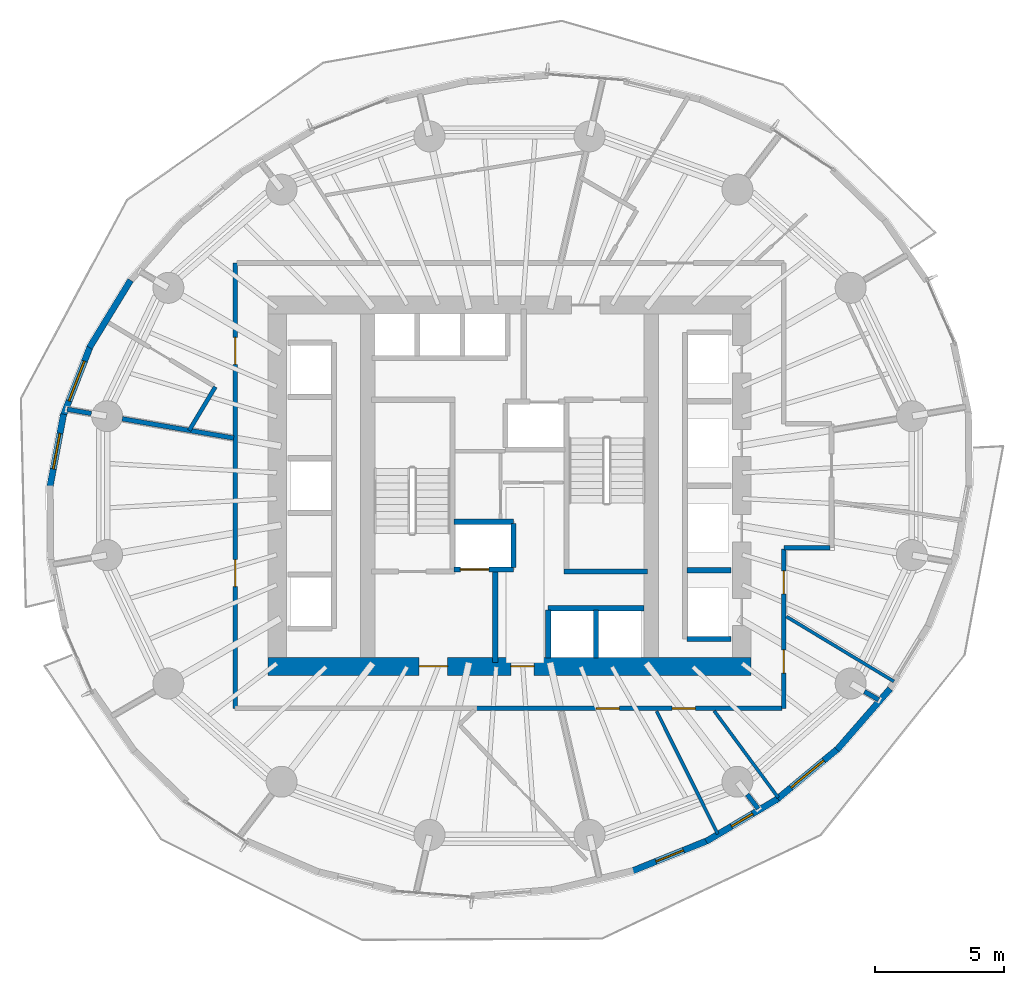
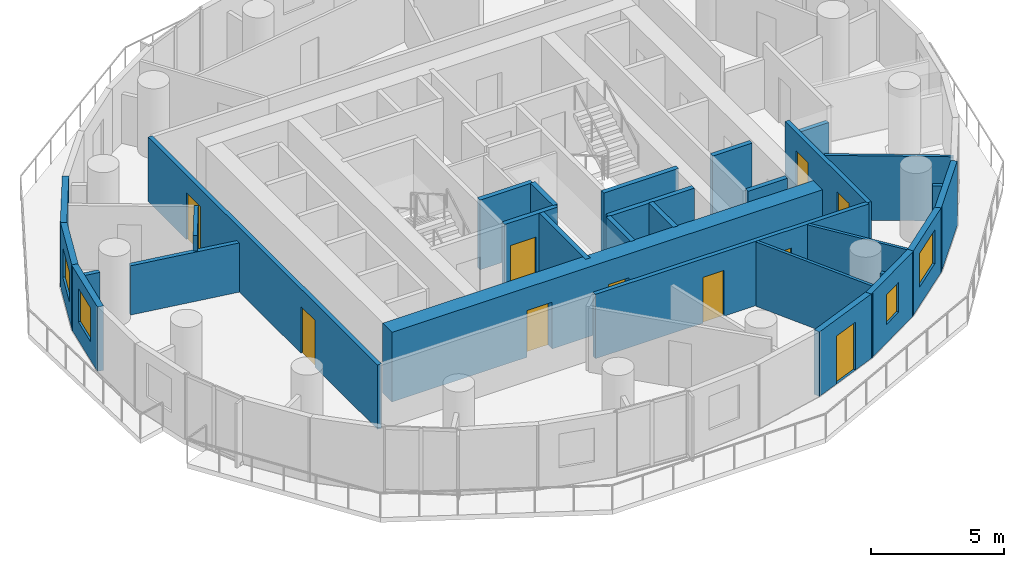
# One storey, part 7 of 14: 30 walls, 10 doors, 4 windows, 14 openings.
"""IFC4 building model written with IfcOpenShell, lengths in metres."""

from ifc_helpers import new_model, si_unit, direction, frame, frame_2d, origin, place, context, subcontext, project, spatial, rectangle, extrude, material, layer, layer_set, type_object, element, fill, save


model = new_model("IFC4")

# Units and contexts
model_context = context("Model", 3, precision=1e-05, world=origin(), true_north=direction((0.0, 1.0)))
body_context = subcontext(model_context, "Body", "Model", "MODEL_VIEW")
ifc_project = project(units=[si_unit("LENGTHUNIT", "METRE"), si_unit("AREAUNIT", "SQUARE_METRE"), si_unit("VOLUMEUNIT", "CUBIC_METRE"), si_unit("PLANEANGLEUNIT", "RADIAN"), si_unit("MASSUNIT", "GRAM", prefix="KILO")], contexts=[model_context])

# Site, building, storey
site_placement = place(None, origin())
site = spatial("IfcSite", under=ifc_project, at=site_placement, CompositionType="ELEMENT")
building_placement = place(site_placement, origin())
building = spatial("IfcBuilding", under=site, at=building_placement, Name="Veldorim Arch Residences", CompositionType="ELEMENT")
storey_placement = place(building_placement, frame((0.0, 0.0, 80.47998046875)))
storey = spatial("IfcBuildingStorey", under=building, at=storey_placement, Name="L23", CompositionType="ELEMENT", Elevation=80.47998046875)

# Walls
ifc_material_1 = material(Name="Acoustic Gypsum Board", Category="gypsum")
ifc_layer_1 = layer(ifc_material_1, 0.125, Name="Acoustic Stud Room Partition Wall 125")
ifc_layer_set_1 = layer_set([ifc_layer_1], Name="Acoustic Gypsum Board")
wall_type_1 = type_object("IfcWallType", Name="Acoustic Stud Room Partition Wall 125", PredefinedType="PARTITIONING", material=ifc_layer_set_1)
wall_1_placement = place(storey_placement, frame((46.8984375, 16.413818359375, 0.0), z_axis=(0.0, 0.0, 1.0), x_axis=(-0.856255019026, 0.51655332967, 0.0)))
element("IfcWall", 1, at=wall_1_placement, inside=storey, type_object=wall_type_1, Name="L23 interior wall WL-RES-L23-013", PredefinedType="PARTITIONING", context=body_context, shape_type="SweptSolid", body=[
    extrude(rectangle(XDim=4.86474609375, YDim=0.125, at=frame_2d((2.432373046875, 0.0))), origin(), (0.0, 0.0, 1.0), 2.955078125),
])
wall_2_placement = place(storey_placement, frame((42.416015625, 11.906494140625, 0.0), z_axis=(0.0, 0.0, 1.0), x_axis=(-0.593774058598, 0.804631820981, 0.0)))
element("IfcWall", 2, at=wall_2_placement, inside=storey, type_object=wall_type_1, Name="L23 interior wall WL-RES-L23-014", PredefinedType="PARTITIONING", context=body_context, shape_type="SweptSolid", body=[
    extrude(rectangle(XDim=4.1845703125, YDim=0.125, at=frame_2d((2.09228515625, 0.0))), origin(), (0.0, 0.0, 1.0), 2.955078125),
])
wall_3_placement = place(storey_placement, frame((40.0732421875, 10.498291015625, 0.0), z_axis=(0.0, 0.0, 1.0), x_axis=(-0.446241148369, 0.894912754129, 0.0)))
element("IfcWall", 3, at=wall_3_placement, inside=storey, type_object=wall_type_1, Name="L23 interior wall WL-RES-L23-015", PredefinedType="PARTITIONING", context=body_context, shape_type="SweptSolid", body=[
    extrude(rectangle(XDim=5.323974609375, YDim=0.125, at=frame_2d((2.662109375, 0.0))), origin(), (0.0, 0.0, 1.0), 2.955078125),
])
ifc_material_2 = material(Name="Lightweight Masonry Block & Gypsum", Category="masonry")
ifc_layer_2 = layer(ifc_material_2, 0.179931640625, Name="Compartment & Corridor Fire-Rated Party Wall 180")
ifc_layer_set_2 = layer_set([ifc_layer_2], Name="Lightweight Masonry Block & Gypsum")
wall_type_2 = type_object("IfcWallType", Name="Compartment & Corridor Fire-Rated Party Wall 180", PredefinedType="PARTITIONING", material=ifc_layer_set_2)
wall_4_placement = place(storey_placement, frame((15.79443359375, 26.797607421875, 0.0), z_axis=(0.0, 0.0, 1.0), x_axis=(-0.985396187556, 0.170277284302, 0.0)))
element("IfcWall", 4, at=wall_4_placement, inside=storey, type_object=wall_type_2, Name="L23 interior wall WL-PIER-L23-08", PredefinedType="PARTITIONING", context=body_context, shape_type="SweptSolid", body=[
    extrude(rectangle(XDim=0.94921875, YDim=0.179931640625, at=frame_2d((0.474609375, 0.0))), origin(), (0.0, 0.0, 1.0), 2.260498046875),
])
wall_5_placement = place(storey_placement, frame((41.2119140625, 12.034423828125, 0.0), z_axis=(0.0, 0.0, 1.0), x_axis=(0.609945476355, -0.792443383387, 0.0)))
element("IfcWall", 5, at=wall_5_placement, inside=storey, type_object=wall_type_2, Name="L23 interior wall WL-PIER-L23-14", PredefinedType="PARTITIONING", context=body_context, shape_type="SweptSolid", body=[
    extrude(rectangle(XDim=0.70361328125, YDim=0.179931640625, at=frame_2d((0.351806640625, 0.0))), origin(), (0.0, 0.0, 1.0), 2.260498046875),
])
wall_6_placement = place(storey_placement, frame((45.756591796875, 16.022216796875, 0.0), z_axis=(0.0, 0.0, 1.0), x_axis=(0.864928236137, -0.501895553212, 0.0)))
element("IfcWall", 6, at=wall_6_placement, inside=storey, type_object=wall_type_2, Name="L23 interior wall WL-PIER-L23-15", PredefinedType="PARTITIONING", context=body_context, shape_type="SweptSolid", body=[
    extrude(rectangle(XDim=0.63818359375, YDim=0.179931640625, at=frame_2d((0.319091796875, 0.0))), origin(), (0.0, 0.0, 1.0), 2.260498046875),
])
wall_7_placement = place(storey_placement, frame((44.419921875, 21.60009765625, 0.0), z_axis=(0.0, 0.0, 1.0), x_axis=(-1.0, 0.0, 0.0)))
element("IfcWall", 7, at=wall_7_placement, inside=storey, type_object=wall_type_2, Name="L23 interior wall WL-RES-L23-002", PredefinedType="PARTITIONING", context=body_context, shape_type="SweptSolid", body=[
    extrude(rectangle(XDim=1.7900390625, YDim=0.179931640625, at=frame_2d((0.89501953125, 0.0))), origin(), (0.0, 0.0, 1.0), 2.260498046875),
])

# Wall, openings, doors
wall_8_placement = place(storey_placement, frame((42.6298828125, 21.5400390625, 0.0), z_axis=(0.0, 0.0, 1.0), x_axis=(0.0, -1.0, 0.0)))
wall_8 = element("IfcWall", 8, at=wall_8_placement, inside=storey, type_object=wall_type_2, Name="L23 interior wall WL-RES-L23-003", PredefinedType="PARTITIONING", context=body_context, shape_type="SweptSolid", body=[
    extrude(rectangle(XDim=6.169921875, YDim=0.179931640625, at=frame_2d((3.0849609375, 0.0))), origin(), (0.0, 0.0, 1.0), 2.955078125),
])
opening_1_placement = place(wall_8_placement, frame((0.83740234375, 0.0, 0.0)))
opening_1 = element("IfcOpeningElement", 9, at=opening_1_placement, cuts=wall_8, Name="Opening DR-INT", PredefinedType="OPENING", context=body_context, shape_type="SweptSolid", body=[
    extrude(rectangle(XDim=0.89990234375, YDim=2.10009765625, at=frame_2d((0.449951171875, 1.050048828125))), frame((0.0, 0.099853515625, 0.0), z_axis=(0.0, -1.0, 0.0), x_axis=(1.0, 0.0, 0.0)), (0.0, 0.0, 1.0), 0.199951171875),
])
opening_2_placement = place(wall_8_placement, frame((3.900634765625, 0.0, 0.0)))
opening_2 = element("IfcOpeningElement", 10, at=opening_2_placement, cuts=wall_8, Name="Opening DR-INT", PredefinedType="OPENING", context=body_context, shape_type="SweptSolid", body=[
    extrude(rectangle(XDim=0.89990234375, YDim=2.10009765625, at=frame_2d((0.449951171875, 1.050048828125))), frame((0.0, 0.099853515625, 0.0), z_axis=(0.0, -1.0, 0.0), x_axis=(1.0, 0.0, 0.0)), (0.0, 0.0, 1.0), 0.199951171875),
])
ifc_material_3 = material(Name="Engineered Timber", Category="wood")
door_type_1 = type_object("IfcDoorType", Name="Apartment Internal Room Timber Door 900x2100", OperationType="SINGLE_SWING_LEFT", PredefinedType="DOOR", material=ifc_material_3)
door_1_placement = place(opening_1_placement, origin())
door_1 = element("IfcDoor", 11, at=door_1_placement, inside=storey, type_object=door_type_1, Name="L23 interior door DR-RES-L23-002", OperationType="SINGLE_SWING_RIGHT", OverallHeight=2.10009765625, OverallWidth=0.89990234375, PredefinedType="DOOR", context=body_context, shape_type="SweptSolid", body=[
    extrude(rectangle(XDim=0.89990234375, YDim=2.10009765625, at=frame_2d((0.449951171875, 1.050048828125))), frame((0.0, 0.02490234375, 0.0), z_axis=(0.0, -1.0, 0.0), x_axis=(1.0, 0.0, 0.0)), (0.0, 0.0, 1.0), 0.050048828125),
])
fill(opening_1, door_1)
door_2_placement = place(opening_2_placement, origin())
door_2 = element("IfcDoor", 12, at=door_2_placement, inside=storey, type_object=door_type_1, Name="L23 interior door DR-RES-L23-003", OperationType="SINGLE_SWING_LEFT", OverallHeight=2.10009765625, OverallWidth=0.89990234375, PredefinedType="DOOR", context=body_context, shape_type="SweptSolid", body=[
    extrude(rectangle(XDim=0.89990234375, YDim=2.10009765625, at=frame_2d((0.449951171875, 1.050048828125))), frame((0.0, 0.02490234375, 0.0), z_axis=(0.0, -1.0, 0.0), x_axis=(1.0, 0.0, 0.0)), (0.0, 0.0, 1.0), 0.050048828125),
])
fill(opening_2, door_2)

wall_9_placement = place(storey_placement, frame((42.570068359375, 15.3701171875, 0.0), z_axis=(0.0, 0.0, 1.0), x_axis=(-1.0, 0.0, 0.0)))
wall_9 = element("IfcWall", 13, at=wall_9_placement, inside=storey, type_object=wall_type_2, Name="L23 interior wall WL-RES-L23-004", PredefinedType="PARTITIONING", context=body_context, shape_type="SweptSolid", body=[
    extrude(rectangle(XDim=11.879150390625, YDim=0.179931640625, at=frame_2d((5.939453125, 0.0))), origin(), (0.0, 0.0, 1.0), 2.955078125),
])
opening_3_placement = place(wall_9_placement, frame((3.365478515625, 0.0, 0.0)))
opening_3 = element("IfcOpeningElement", 14, at=opening_3_placement, cuts=wall_9, Name="Opening DR-INT", PredefinedType="OPENING", context=body_context, shape_type="SweptSolid", body=[
    extrude(rectangle(XDim=0.89990234375, YDim=2.10009765625, at=frame_2d((0.449951171875, 1.050048828125))), frame((0.0, 0.099853515625, 0.0), z_axis=(0.0, -1.0, 0.0), x_axis=(1.0, 0.0, 0.0)), (0.0, 0.0, 1.0), 0.199951171875),
])
opening_4_placement = place(wall_9_placement, frame((6.307861328125, 0.0, 0.0)))
opening_4 = element("IfcOpeningElement", 15, at=opening_4_placement, cuts=wall_9, Name="Opening DR-INT", PredefinedType="OPENING", context=body_context, shape_type="SweptSolid", body=[
    extrude(rectangle(XDim=0.89990234375, YDim=2.10009765625, at=frame_2d((0.449951171875, 1.050048828125))), frame((0.0, 0.099853515625, 0.0), z_axis=(0.0, -1.0, 0.0), x_axis=(1.0, 0.0, 0.0)), (0.0, 0.0, 1.0), 0.199951171875),
])
door_3_placement = place(opening_3_placement, origin())
door_3 = element("IfcDoor", 16, at=door_3_placement, inside=storey, type_object=door_type_1, Name="L23 interior door DR-RES-L23-004", OperationType="SINGLE_SWING_RIGHT", OverallHeight=2.10009765625, OverallWidth=0.89990234375, PredefinedType="DOOR", context=body_context, shape_type="SweptSolid", body=[
    extrude(rectangle(XDim=0.89990234375, YDim=2.10009765625, at=frame_2d((0.449951171875, 1.050048828125))), frame((0.0, 0.02490234375, 0.0), z_axis=(0.0, -1.0, 0.0), x_axis=(1.0, 0.0, 0.0)), (0.0, 0.0, 1.0), 0.050048828125),
])
fill(opening_3, door_3)
door_4_placement = place(opening_4_placement, origin())
door_4 = element("IfcDoor", 17, at=door_4_placement, inside=storey, type_object=door_type_1, Name="L23 interior door DR-RES-L23-005", OperationType="SINGLE_SWING_LEFT", OverallHeight=2.10009765625, OverallWidth=0.89990234375, PredefinedType="DOOR", context=body_context, shape_type="SweptSolid", body=[
    extrude(rectangle(XDim=0.89990234375, YDim=2.10009765625, at=frame_2d((0.449951171875, 1.050048828125))), frame((0.0, 0.02490234375, 0.0), z_axis=(0.0, -1.0, 0.0), x_axis=(1.0, 0.0, 0.0)), (0.0, 0.0, 1.0), 0.050048828125),
])
fill(opening_4, door_4)

wall_10_placement = place(storey_placement, frame((21.3701171875, 15.3701171875, 0.0), z_axis=(0.0, 0.0, 1.0), x_axis=(0.0, 1.0, 0.0)))
wall_10 = element("IfcWall", 18, at=wall_10_placement, inside=storey, type_object=wall_type_2, Name="L23 interior wall WL-RES-L23-008", PredefinedType="PARTITIONING", context=body_context, shape_type="SweptSolid", body=[
    extrude(rectangle(XDim=17.259765625, YDim=0.179931640625, at=frame_2d((8.6298828125, 0.0))), origin(), (0.0, 0.0, 1.0), 2.955078125),
])
opening_5_placement = place(wall_10_placement, frame((13.32763671875, 0.0, 0.0)))
opening_5 = element("IfcOpeningElement", 19, at=opening_5_placement, cuts=wall_10, Name="Opening DR-FLT", PredefinedType="OPENING", context=body_context, shape_type="SweptSolid", body=[
    extrude(rectangle(XDim=1.050048828125, YDim=2.14990234375, at=frame_2d((0.52490234375, 1.074951171875))), frame((0.0, 0.099853515625, 0.0), z_axis=(0.0, -1.0, 0.0), x_axis=(1.0, 0.0, 0.0)), (0.0, 0.0, 1.0), 0.199951171875),
])
opening_6_placement = place(wall_10_placement, frame((4.7177734375, 0.0, 0.0)))
opening_6 = element("IfcOpeningElement", 20, at=opening_6_placement, cuts=wall_10, Name="Opening DR-FLT", PredefinedType="OPENING", context=body_context, shape_type="SweptSolid", body=[
    extrude(rectangle(XDim=1.050048828125, YDim=2.14990234375, at=frame_2d((0.52490234375, 1.074951171875))), frame((0.0, 0.099853515625, 0.0), z_axis=(0.0, -1.0, 0.0), x_axis=(1.0, 0.0, 0.0)), (0.0, 0.0, 1.0), 0.199951171875),
])
ifc_material_4 = material(Name="Fire-Rated Timber", Category="wood")
door_type_2 = type_object("IfcDoorType", Name="Apartment Entrance Solid-Core Fire Door 1050x2150", OperationType="SINGLE_SWING_LEFT", PredefinedType="DOOR", material=ifc_material_4)
door_5_placement = place(opening_5_placement, origin())
door_5 = element("IfcDoor", 21, at=door_5_placement, inside=storey, type_object=door_type_2, Name="L23 interior door DR-RES-L23-011", OperationType="SINGLE_SWING_LEFT", OverallHeight=2.14990234375, OverallWidth=1.050048828125, PredefinedType="DOOR", context=body_context, shape_type="SweptSolid", body=[
    extrude(rectangle(XDim=1.050048828125, YDim=2.14990234375, at=frame_2d((0.52490234375, 1.074951171875))), frame((0.0, 0.02490234375, 0.0), z_axis=(0.0, -1.0, 0.0), x_axis=(1.0, 0.0, 0.0)), (0.0, 0.0, 1.0), 0.050048828125),
])
fill(opening_5, door_5)
door_6_placement = place(opening_6_placement, origin())
door_6 = element("IfcDoor", 22, at=door_6_placement, inside=storey, type_object=door_type_2, Name="L23 interior door DR-RES-L23-015", OperationType="SINGLE_SWING_LEFT", OverallHeight=2.14990234375, OverallWidth=1.050048828125, PredefinedType="DOOR", context=body_context, shape_type="SweptSolid", body=[
    extrude(rectangle(XDim=1.050048828125, YDim=2.14990234375, at=frame_2d((0.52490234375, 1.074951171875))), frame((0.0, 0.02490234375, 0.0), z_axis=(0.0, -1.0, 0.0), x_axis=(1.0, 0.0, 0.0)), (0.0, 0.0, 1.0), 0.050048828125),
])
fill(opening_6, door_6)

# Walls
wall_11_placement = place(storey_placement, frame((21.310791015625, 25.84521484375, 0.0), z_axis=(0.0, 0.0, 1.0), x_axis=(-0.98541310568, 0.170179349963, 0.0)))
element("IfcWall", 23, at=wall_11_placement, inside=storey, type_object=wall_type_2, Name="L23 interior wall WL-RES-L23-026", PredefinedType="PARTITIONING", context=body_context, shape_type="SweptSolid", body=[
    extrude(rectangle(XDim=4.38134765625, YDim=0.179931640625, at=frame_2d((2.190673828125, 0.0))), origin(), (0.0, 0.0, 1.0), 2.260498046875),
])
ifc_material_5 = material(Name="Concrete C50/60", Category="concrete")
ifc_layer_3 = layer(ifc_material_5, 0.199951171875, Name="Core Stair & Lift Shaft Enclosure Wall 200")
ifc_layer_set_3 = layer_set([ifc_layer_3], Name="Concrete C50/60")
wall_type_3 = type_object("IfcWallType", Name="Core Stair & Lift Shaft Enclosure Wall 200", PredefinedType="SHEAR", material=ifc_layer_set_3)
wall_12_placement = place(storey_placement, frame((34.110107421875, 20.669921875, 0.0), z_axis=(0.0, 0.0, 1.0), x_axis=(1.0, 0.0, 0.0)))
element("IfcWall", 24, at=wall_12_placement, inside=storey, type_object=wall_type_3, Name="L23 shaft wall WL-SHF-L23-ST2-S", PredefinedType="SHEAR", context=body_context, shape_type="SweptSolid", body=[
    extrude(rectangle(XDim=3.239990234375, YDim=0.199951171875, at=frame_2d((1.6201171875, 0.0))), origin(), (0.0, 0.0, 1.0), 3.199951171875),
])
wall_13_placement = place(storey_placement, frame((31.449951171875, 17.14990234375, 0.0), z_axis=(0.0, 0.0, 1.0), x_axis=(0.0, 1.0, 0.0)))
element("IfcWall", 25, at=wall_13_placement, inside=storey, type_object=wall_type_3, Name="L23 shaft wall WL-FFL1-L23-E", PredefinedType="SHEAR", context=body_context, shape_type="SweptSolid", body=[
    extrude(rectangle(XDim=3.5, YDim=0.199951171875, at=frame_2d((1.75, 0.0))), origin(), (0.0, 0.0, 1.0), 3.199951171875),
])

# Wall, opening, door
wall_14_placement = place(storey_placement, frame((29.85009765625, 20.75, 0.0), z_axis=(0.0, 0.0, 1.0), x_axis=(1.0, 0.0, 0.0)))
wall_14 = element("IfcWall", 26, at=wall_14_placement, inside=storey, type_object=wall_type_3, Name="L23 shaft wall WL-FL01-L23-S", PredefinedType="SHEAR", context=body_context, shape_type="SweptSolid", body=[
    extrude(rectangle(XDim=2.2998046875, YDim=0.199951171875, at=frame_2d((1.14990234375, 0.0))), origin(), (0.0, 0.0, 1.0), 3.199951171875),
])
opening_7_placement = place(wall_14_placement, frame((0.25, 0.0, 0.0)))
opening_7 = element("IfcOpeningElement", 27, at=opening_7_placement, cuts=wall_14, Name="Opening LD-FF", PredefinedType="OPENING", context=body_context, shape_type="SweptSolid", body=[
    extrude(rectangle(XDim=1.10009765625, YDim=2.14990234375, at=frame_2d((0.550048828125, 1.074951171875))), frame((0.0, 0.10986328125, 0.0), z_axis=(0.0, -1.0, 0.0), x_axis=(1.0, 0.0, 0.0)), (0.0, 0.0, 1.0), 0.219970703125),
])
ifc_material_6 = material(Name="Stainless Steel", Category="steel")
door_type_3 = type_object("IfcDoorType", Name="Firefighting Lift Bi-Parting Sliding Landing Door 1100x2150", OperationType="DOUBLE_DOOR_SLIDING", PredefinedType="DOOR", material=ifc_material_6)
door_7_placement = place(opening_7_placement, origin())
door_7 = element("IfcDoor", 28, at=door_7_placement, inside=storey, type_object=door_type_3, Name="L23 lift landing door LD-L23-FL01", OperationType="DOUBLE_DOOR_SLIDING", OverallHeight=2.14990234375, OverallWidth=1.10009765625, PredefinedType="DOOR", context=body_context, shape_type="SweptSolid", body=[
    extrude(rectangle(XDim=1.10009765625, YDim=2.14990234375, at=frame_2d((0.550048828125, 1.074951171875))), frame((0.0, 0.02490234375, 0.0), z_axis=(0.0, -1.0, 0.0), x_axis=(1.0, 0.0, 0.0)), (0.0, 0.0, 1.0), 0.050048828125),
])
fill(opening_7, door_7)

# Walls
wall_15_placement = place(storey_placement, frame((29.85009765625, 22.60009765625, 0.0), z_axis=(0.0, 0.0, 1.0), x_axis=(1.0, 0.0, 0.0)))
element("IfcWall", 29, at=wall_15_placement, inside=storey, type_object=wall_type_3, Name="L23 shaft wall WL-FL01-L23-N", PredefinedType="SHEAR", context=body_context, shape_type="SweptSolid", body=[
    extrude(rectangle(XDim=2.2998046875, YDim=0.199951171875, at=frame_2d((1.14990234375, 0.0))), origin(), (0.0, 0.0, 1.0), 3.199951171875),
])
for number, where, z_axis, x_axis, name in (
    (30, (32.14990234375, 20.820068359375, 0.0), (0.0, 0.0, 1.0), (0.0, 1.0, 0.0), "L23 shaft wall WL-FL01-L23-E"),
    (31, (38.8701171875, 18.06005859375, 0.0), (0.0, 0.0, 1.0), (1.0, 0.0, 0.0), "L23 shaft wall WL-B1-L23-S"),
    (32, (38.8701171875, 20.72509765625, 0.0), (0.0, 0.0, 1.0), (1.0, 0.0, 0.0), "L23 shaft wall WL-B1-L23-D1"),
):
    element("IfcWall", number, at=place(storey_placement, frame(where, z_axis=z_axis, x_axis=x_axis)), inside=storey, type_object=wall_type_3, Name=name, PredefinedType="SHEAR", context=body_context, shape_type="SweptSolid", body=[
        extrude(rectangle(XDim=1.7099609375, YDim=0.199951171875, at=frame_2d((0.85498046875, 0.0))), origin(), (0.0, 0.0, 1.0), 3.199951171875),
    ])
wall_16_placement = place(storey_placement, frame((33.5, 19.25, 0.0), z_axis=(0.0, 0.0, 1.0), x_axis=(1.0, 0.0, 0.0)))
element("IfcWall", 33, at=wall_16_placement, inside=storey, type_object=wall_type_3, Name="L23 shaft wall WL-OL-L23-N", PredefinedType="SHEAR", context=body_context, shape_type="SweptSolid", body=[
    extrude(rectangle(XDim=3.719970703125, YDim=0.199951171875, at=frame_2d((1.85986328125, 0.0))), origin(), (0.0, 0.0, 1.0), 3.199951171875),
])
for number, where, z_axis, x_axis, name in (
    (34, (33.5, 17.320068359375, 0.0), (0.0, 0.0, 1.0), (0.0, 1.0, 0.0), "L23 shaft wall WL-OL-L23-W"),
    (35, (35.35009765625, 17.320068359375, 0.0), (0.0, 0.0, 1.0), (0.0, 1.0, 0.0), "L23 shaft wall WL-OL-L23-D1"),
):
    element("IfcWall", number, at=place(storey_placement, frame(where, z_axis=z_axis, x_axis=x_axis)), inside=storey, type_object=wall_type_3, Name=name, PredefinedType="SHEAR", context=body_context, shape_type="SweptSolid", body=[
        extrude(rectangle(XDim=1.85986328125, YDim=0.199951171875, at=frame_2d((0.929931640625, 0.0))), origin(), (0.0, 0.0, 1.0), 3.199951171875),
    ])

# Wall, openings, doors
ifc_material_7 = material(Name="Concrete C60/75", Category="concrete")
ifc_layer_4 = layer(ifc_material_7, 0.699951171875, Name="Mid-Lower Central Core Shear Wall 700")
ifc_layer_set_4 = layer_set([ifc_layer_4], Name="Concrete C60/75")
wall_type_4 = type_object("IfcWallType", Name="Mid-Lower Central Core Shear Wall 700", PredefinedType="SHEAR", material=ifc_layer_set_4)
wall_17_placement = place(storey_placement, frame((22.64990234375, 17.0, 0.0), z_axis=(0.0, 0.0, 1.0), x_axis=(1.0, 0.0, 0.0)))
wall_17 = element("IfcWall", 36, at=wall_17_placement, inside=storey, type_object=wall_type_4, Name="L23 central core south shear wall", PredefinedType="SHEAR", context=body_context, shape_type="SweptSolid", body=[
    extrude(rectangle(XDim=18.7001953125, YDim=0.699951171875, at=frame_2d((9.35009765625, 0.0))), origin(), (0.0, 0.0, 1.0), 3.199951171875),
])
opening_8_placement = place(wall_17_placement, frame((5.85009765625, 0.0, 0.0)))
opening_8 = element("IfcOpeningElement", 37, at=opening_8_placement, cuts=wall_17, Name="Opening DR-FFL", PredefinedType="OPENING", context=body_context, shape_type="SweptSolid", body=[
    extrude(rectangle(XDim=1.10009765625, YDim=2.14990234375, at=frame_2d((0.550048828125, 1.074951171875))), frame((0.0, 0.35986328125, 0.0), z_axis=(0.0, -1.0, 0.0), x_axis=(1.0, 0.0, 0.0)), (0.0, 0.0, 1.0), 0.719970703125),
])
opening_9_placement = place(wall_17_placement, frame((9.39990234375, 0.0, 0.0)))
opening_9 = element("IfcOpeningElement", 38, at=opening_9_placement, cuts=wall_17, Name="Opening DR-SVC", PredefinedType="OPENING", context=body_context, shape_type="SweptSolid", body=[
    extrude(rectangle(XDim=0.89990234375, YDim=2.10009765625, at=frame_2d((0.449951171875, 1.050048828125))), frame((0.0, 0.35986328125, 0.0), z_axis=(0.0, -1.0, 0.0), x_axis=(1.0, 0.0, 0.0)), (0.0, 0.0, 1.0), 0.719970703125),
])
ifc_material_8 = material(Name="Fire-Rated Steel & Vision Glass", Category="steel")
door_type_4 = type_object("IfcDoorType", Name="Firefighting Lobby Smoke-Stop Fire Door 1100x2150", OperationType="SINGLE_SWING_LEFT", PredefinedType="DOOR", material=ifc_material_8)
door_8_placement = place(opening_8_placement, origin())
door_8 = element("IfcDoor", 39, at=door_8_placement, inside=storey, type_object=door_type_4, Name="L23 interior door DR-L23-FFL1", OperationType="SINGLE_SWING_RIGHT", OverallHeight=2.14990234375, OverallWidth=1.10009765625, PredefinedType="DOOR", context=body_context, shape_type="SweptSolid", body=[
    extrude(rectangle(XDim=1.10009765625, YDim=2.14990234375, at=frame_2d((0.550048828125, 1.074951171875))), frame((0.0, 0.02490234375, 0.0), z_axis=(0.0, -1.0, 0.0), x_axis=(1.0, 0.0, 0.0)), (0.0, 0.0, 1.0), 0.050048828125),
])
fill(opening_8, door_8)
ifc_material_9 = material(Name="Fire-Rated Steel", Category="steel")
door_type_5 = type_object("IfcDoorType", Name="Riser, Shelter & Plant Room Rated Steel Door 900x2100", OperationType="SINGLE_SWING_LEFT", PredefinedType="DOOR", material=ifc_material_9)
door_9_placement = place(opening_9_placement, origin())
door_9 = element("IfcDoor", 40, at=door_9_placement, inside=storey, type_object=door_type_5, Name="L23 interior door DR-L23-COR-ANC", OperationType="SINGLE_SWING_LEFT", OverallHeight=2.10009765625, OverallWidth=0.89990234375, PredefinedType="DOOR", context=body_context, shape_type="SweptSolid", body=[
    extrude(rectangle(XDim=0.89990234375, YDim=2.10009765625, at=frame_2d((0.449951171875, 1.050048828125))), frame((0.0, 0.02490234375, 0.0), z_axis=(0.0, -1.0, 0.0), x_axis=(1.0, 0.0, 0.0)), (0.0, 0.0, 1.0), 0.050048828125),
])
fill(opening_9, door_9)

# Wall
ifc_material_10 = material(Name="Precast concrete C40/50", Category="concrete")
ifc_layer_5 = layer(ifc_material_10, 0.25, Name="Tower Terracotta Spandrel & Pier Wall 250")
ifc_layer_set_5 = layer_set([ifc_layer_5], Name="Precast concrete C40/50")
wall_type_5 = type_object("IfcWallType", Name="Tower Terracotta Spandrel & Pier Wall 250", PredefinedType="SOLIDWALL", material=ifc_layer_set_5)
wall_18_placement = place(storey_placement, frame((15.71923828125, 29.35009765625, 0.0), z_axis=(0.0, 0.0, 1.0), x_axis=(0.520956264952, 0.853583370273, 0.0)))
element("IfcWall", 41, at=wall_18_placement, inside=storey, type_object=wall_type_5, Name="L23 terracotta facade wall 14", PredefinedType="SOLIDWALL", context=body_context, shape_type="SweptSolid", body=[
    extrude(rectangle(XDim=3.060791015625, YDim=0.25, at=frame_2d((1.5302734375, 0.0))), origin(), (0.0, 0.0, 1.0), 2.9599609375),
])

# Wall, opening, window
wall_19_placement = place(storey_placement, frame((14.685791015625, 26.6650390625, 0.0), z_axis=(0.0, 0.0, 1.0), x_axis=(0.362414720493, 0.93201693674, 0.0)))
wall_19 = element("IfcWall", 42, at=wall_19_placement, inside=storey, type_object=wall_type_5, Name="L23 terracotta facade wall 15", PredefinedType="SOLIDWALL", context=body_context, shape_type="SweptSolid", body=[
    extrude(rectangle(XDim=2.98828125, YDim=0.25, at=frame_2d((1.494140625, 0.0))), origin(), (0.0, 0.0, 1.0), 2.9599609375),
])
opening_10_placement = place(wall_19_placement, frame((0.6689453125, 0.0, 0.85009765625)))
opening_10 = element("IfcOpeningElement", 43, at=opening_10_placement, cuts=wall_19, Name="Opening WN-03", PredefinedType="OPENING", context=body_context, shape_type="SweptSolid", body=[
    extrude(rectangle(XDim=1.64990234375, YDim=1.3701171875, at=frame_2d((0.824951171875, 0.68505859375))), frame((0.0, 0.135009765625, 0.0), z_axis=(0.0, -1.0, 0.0), x_axis=(1.0, 0.0, 0.0)), (0.0, 0.0, 1.0), 0.27001953125),
])
ifc_material_11 = material(Name="Laminated Low-E Glass", Category="glass")
window_type_1 = type_object("IfcWindowType", Name="Residential Wide Window 1650x1550", PartitioningType="SINGLE_PANEL", PredefinedType="WINDOW", material=ifc_material_11)
window_1_placement = place(opening_10_placement, origin())
window_1 = element("IfcWindow", 44, at=window_1_placement, inside=storey, type_object=window_type_1, Name="L23 solar-control facade window 15", OverallHeight=1.3701171875, OverallWidth=1.64990234375, PartitioningType="SINGLE_PANEL", PredefinedType="WINDOW", context=body_context, shape_type="SweptSolid", body=[
    extrude(rectangle(XDim=1.64990234375, YDim=1.3701171875, at=frame_2d((0.824951171875, 0.68505859375))), frame((0.0, 0.030029296875, 0.0), z_axis=(0.0, -1.0, 0.0), x_axis=(1.0, 0.0, 0.0)), (0.0, 0.0, 1.0), 0.06005859375),
])
fill(opening_10, window_1)

wall_20_placement = place(storey_placement, frame((14.1787109375, 23.89990234375, 0.0), z_axis=(0.0, 0.0, 1.0), x_axis=(0.183975908968, 0.982930752861, 0.0)))
wall_20 = element("IfcWall", 45, at=wall_20_placement, inside=storey, type_object=wall_type_5, Name="L23 terracotta facade wall 16", PredefinedType="SOLIDWALL", context=body_context, shape_type="SweptSolid", body=[
    extrude(rectangle(XDim=2.92333984375, YDim=0.25, at=frame_2d((1.461669921875, 0.0))), origin(), (0.0, 0.0, 1.0), 2.9599609375),
])
opening_11_placement = place(wall_20_placement, frame((0.761962890625, 0.0, 0.85009765625)))
opening_11 = element("IfcOpeningElement", 46, at=opening_11_placement, cuts=wall_20, Name="Opening WN-02", PredefinedType="OPENING", context=body_context, shape_type="SweptSolid", body=[
    extrude(rectangle(XDim=1.39990234375, YDim=1.550048828125, at=frame_2d((0.699951171875, 0.77490234375))), frame((0.0, 0.135009765625, 0.0), z_axis=(0.0, -1.0, 0.0), x_axis=(1.0, 0.0, 0.0)), (0.0, 0.0, 1.0), 0.27001953125),
])
ifc_material_12 = material(Name="Laminated Low-E Glass", Category="glass")
window_type_2 = type_object("IfcWindowType", Name="Residential Casement Window 1400x1550", PartitioningType="SINGLE_PANEL", PredefinedType="WINDOW", material=ifc_material_12)
window_2_placement = place(opening_11_placement, origin())
window_2 = element("IfcWindow", 47, at=window_2_placement, inside=storey, type_object=window_type_2, Name="L23 solar-control facade window 16", OverallHeight=1.550048828125, OverallWidth=1.39990234375, PartitioningType="SINGLE_PANEL", PredefinedType="WINDOW", context=body_context, shape_type="SweptSolid", body=[
    extrude(rectangle(XDim=1.39990234375, YDim=1.550048828125, at=frame_2d((0.699951171875, 0.77490234375))), frame((0.0, 0.030029296875, 0.0), z_axis=(0.0, -1.0, 0.0), x_axis=(1.0, 0.0, 0.0)), (0.0, 0.0, 1.0), 0.06005859375),
])
fill(opening_11, window_2)

# Wall, opening, door
wall_21_placement = place(storey_placement, frame((39.721923828125, 10.26220703125, 0.0), z_axis=(0.0, 0.0, 1.0), x_axis=(-0.927283842946, -0.374359018339, 0.0)))
wall_21 = element("IfcWall", 48, at=wall_21_placement, inside=storey, type_object=wall_type_5, Name="L23 terracotta facade wall 28", PredefinedType="SOLIDWALL", context=body_context, shape_type="SweptSolid", body=[
    extrude(rectangle(XDim=3.259521484375, YDim=0.25, at=frame_2d((1.6298828125, 0.0))), origin(), (0.0, 0.0, 1.0), 2.9599609375),
])
opening_12_placement = place(wall_21_placement, frame((1.054931640625, 0.0, 0.0)))
opening_12 = element("IfcOpeningElement", 49, at=opening_12_placement, cuts=wall_21, Name="Opening BL-DR", PredefinedType="OPENING", context=body_context, shape_type="SweptSolid", body=[
    extrude(rectangle(XDim=1.14990234375, YDim=2.199951171875, at=frame_2d((0.574951171875, 1.10009765625))), frame((0.0, 0.135009765625, 0.0), z_axis=(0.0, -1.0, 0.0), x_axis=(1.0, 0.0, 0.0)), (0.0, 0.0, 1.0), 0.27001953125),
])
ifc_material_13 = material(Name="Aluminium & Low-E Glass", Category="aluminium")
door_type_6 = type_object("IfcDoorType", Name="Glazed Planted Balcony Door 1150x2200", OperationType="SINGLE_SWING_LEFT", PredefinedType="DOOR", material=ifc_material_13)
door_10_placement = place(opening_12_placement, origin())
door_10 = element("IfcDoor", 50, at=door_10_placement, inside=storey, type_object=door_type_6, Name="L23 glazed outdoor terrace door BALC-2", OperationType="SINGLE_SWING_RIGHT", OverallHeight=2.199951171875, OverallWidth=1.14990234375, PredefinedType="DOOR", context=body_context, shape_type="SweptSolid", body=[
    extrude(rectangle(XDim=1.14990234375, YDim=2.199951171875, at=frame_2d((0.574951171875, 1.10009765625))), frame((0.0, 0.02490234375, 0.0), z_axis=(0.0, -1.0, 0.0), x_axis=(1.0, 0.0, 0.0)), (0.0, 0.0, 1.0), 0.050048828125),
])
fill(opening_12, door_10)

# Wall, opening, window
wall_22_placement = place(storey_placement, frame((42.406005859375, 11.86767578125, 0.0), z_axis=(0.0, 0.0, 1.0), x_axis=(-0.859543053771, -0.511063341196, 0.0)))
wall_22 = element("IfcWall", 51, at=wall_22_placement, inside=storey, type_object=wall_type_5, Name="L23 terracotta facade wall 29", PredefinedType="SOLIDWALL", context=body_context, shape_type="SweptSolid", body=[
    extrude(rectangle(XDim=3.236083984375, YDim=0.25, at=frame_2d((1.6181640625, 0.0))), origin(), (0.0, 0.0, 1.0), 2.9599609375),
])
opening_13_placement = place(wall_22_placement, frame((1.14306640625, 0.0, 0.85009765625)))
opening_13 = element("IfcOpeningElement", 52, at=opening_13_placement, cuts=wall_22, Name="Opening WN-05", PredefinedType="OPENING", context=body_context, shape_type="SweptSolid", body=[
    extrude(rectangle(XDim=0.949951171875, YDim=1.3701171875, at=frame_2d((0.47509765625, 0.68505859375))), frame((0.0, 0.135009765625, 0.0), z_axis=(0.0, -1.0, 0.0), x_axis=(1.0, 0.0, 0.0)), (0.0, 0.0, 1.0), 0.27001953125),
])
ifc_material_14 = material(Name="Laminated Low-E Glass", Category="glass")
window_type_3 = type_object("IfcWindowType", Name="Residential Compact Casement Window 950x1450", PartitioningType="SINGLE_PANEL", PredefinedType="WINDOW", material=ifc_material_14)
window_3_placement = place(opening_13_placement, origin())
window_3 = element("IfcWindow", 53, at=window_3_placement, inside=storey, type_object=window_type_3, Name="L23 solar-control facade window 29", OverallHeight=1.3701171875, OverallWidth=0.949951171875, PartitioningType="SINGLE_PANEL", PredefinedType="WINDOW", context=body_context, shape_type="SweptSolid", body=[
    extrude(rectangle(XDim=0.949951171875, YDim=1.3701171875, at=frame_2d((0.47509765625, 0.68505859375))), frame((0.0, 0.030029296875, 0.0), z_axis=(0.0, -1.0, 0.0), x_axis=(1.0, 0.0, 0.0)), (0.0, 0.0, 1.0), 0.06005859375),
])
fill(opening_13, window_3)

wall_23_placement = place(storey_placement, frame((44.7734375, 13.8427734375, 0.0), z_axis=(0.0, 0.0, 1.0), x_axis=(-0.769611275013, -0.638512713557, 0.0)))
wall_23 = element("IfcWall", 54, at=wall_23_placement, inside=storey, type_object=wall_type_5, Name="L23 terracotta facade wall 30", PredefinedType="SOLIDWALL", context=body_context, shape_type="SweptSolid", body=[
    extrude(rectangle(XDim=3.19189453125, YDim=0.25, at=frame_2d((1.595947265625, 0.0))), origin(), (0.0, 0.0, 1.0), 2.9599609375),
])
opening_14_placement = place(wall_23_placement, frame((0.77099609375, 0.0, 0.85009765625)))
opening_14 = element("IfcOpeningElement", 55, at=opening_14_placement, cuts=wall_23, Name="Opening WN-03", PredefinedType="OPENING", context=body_context, shape_type="SweptSolid", body=[
    extrude(rectangle(XDim=1.64990234375, YDim=1.550048828125, at=frame_2d((0.824951171875, 0.77490234375))), frame((0.0, 0.135009765625, 0.0), z_axis=(0.0, -1.0, 0.0), x_axis=(1.0, 0.0, 0.0)), (0.0, 0.0, 1.0), 0.27001953125),
])
window_4_placement = place(opening_14_placement, origin())
window_4 = element("IfcWindow", 56, at=window_4_placement, inside=storey, type_object=window_type_1, Name="L23 solar-control facade window 30", OverallHeight=1.550048828125, OverallWidth=1.64990234375, PartitioningType="SINGLE_PANEL", PredefinedType="WINDOW", context=body_context, shape_type="SweptSolid", body=[
    extrude(rectangle(XDim=1.64990234375, YDim=1.550048828125, at=frame_2d((0.824951171875, 0.77490234375))), frame((0.0, 0.030029296875, 0.0), z_axis=(0.0, -1.0, 0.0), x_axis=(1.0, 0.0, 0.0)), (0.0, 0.0, 1.0), 0.06005859375),
])
fill(opening_14, window_4)

# Walls
wall_24_placement = place(storey_placement, frame((46.751708984375, 16.126708984375, 0.0), z_axis=(0.0, 0.0, 1.0), x_axis=(-0.656940925155, -0.753942054044, 0.0)))
element("IfcWall", 57, at=wall_24_placement, inside=storey, type_object=wall_type_5, Name="L23 terracotta facade wall 31", PredefinedType="SOLIDWALL", context=body_context, shape_type="SweptSolid", body=[
    extrude(rectangle(XDim=3.131103515625, YDim=0.25, at=frame_2d((1.5654296875, 0.0))), origin(), (0.0, 0.0, 1.0), 2.9599609375),
])
ifc_material_15 = material(Name="Moisture-Resistant Gypsum & Stud", Category="gypsum")
ifc_layer_6 = layer(ifc_material_15, 0.159912109375, Name="Wet-Area Moisture-Resistant Plumbing Wall 160")
ifc_layer_set_6 = layer_set([ifc_layer_6], Name="Moisture-Resistant Gypsum & Stud")
wall_type_6 = type_object("IfcWallType", Name="Wet-Area Moisture-Resistant Plumbing Wall 160", PredefinedType="PLUMBINGWALL", material=ifc_layer_set_6)
wall_25_placement = place(storey_placement, frame((19.586181640625, 26.14306640625, 0.0), z_axis=(0.0, 0.0, 1.0), x_axis=(0.514969792399, 0.857208325272, 0.0)))
element("IfcWall", 58, at=wall_25_placement, inside=storey, type_object=wall_type_6, Name="L23 interior wall WL-RES-L23-023", PredefinedType="PLUMBINGWALL", context=body_context, shape_type="SweptSolid", body=[
    extrude(rectangle(XDim=1.968994140625, YDim=0.159912109375, at=frame_2d((0.984375, 0.0))), origin(), (0.0, 0.0, 1.0), 2.955078125),
])

save(model, "model.ifc")
